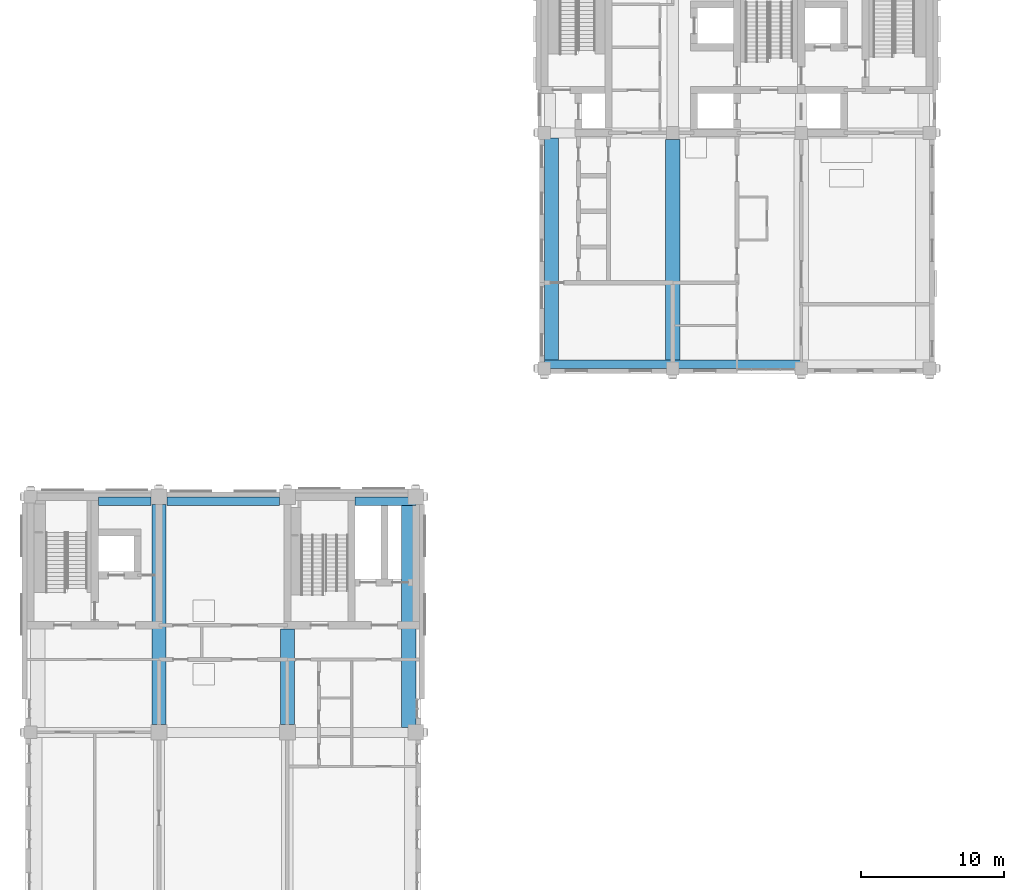
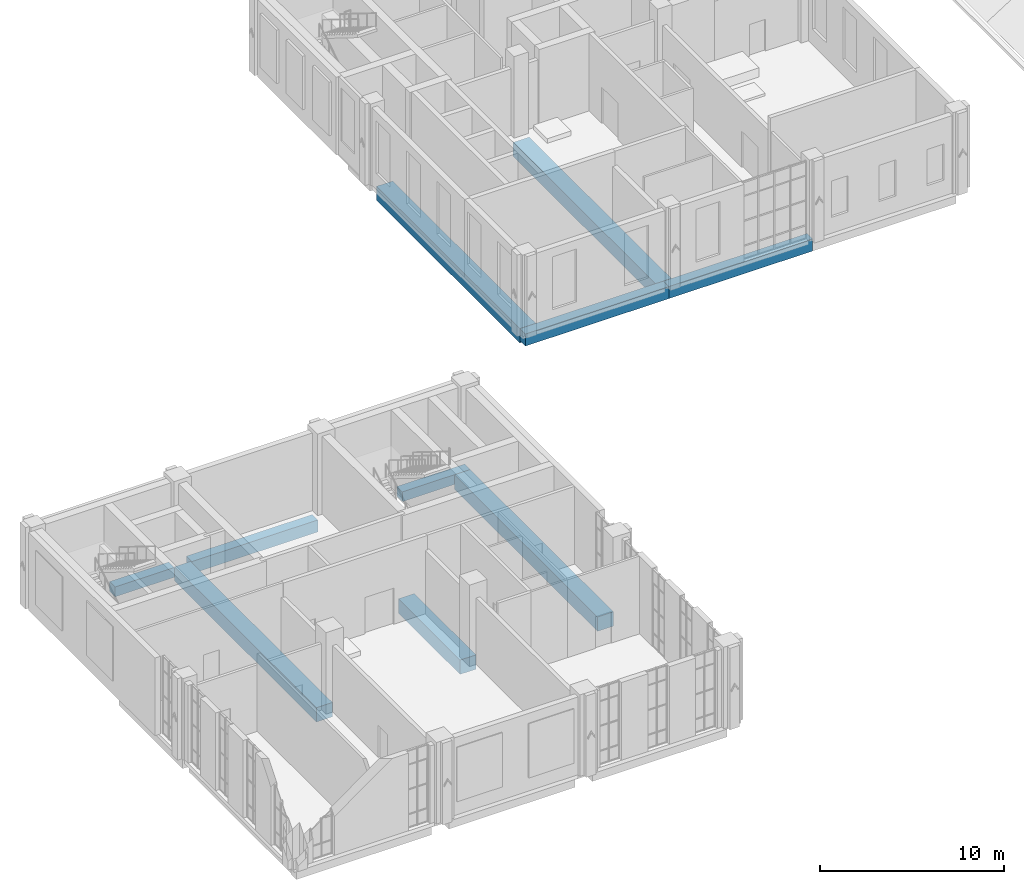
# One storey, part 3 of 25: 10 beams.
"""IFC4 building model written with IfcOpenShell, lengths in metres."""

from ifc_helpers import new_model, si_unit, direction, frame, origin, origin_2d, place, context, subcontext, project, spatial, rectangle, extrude, material, material_profile, profile_set, type_object, element, save


model = new_model("IFC4")

# Units and contexts
model_context = context("Model", 3, precision=1e-05, world=origin(), true_north=direction((0.0, 1.0)))
body_context = subcontext(model_context, "Body", "Model", "MODEL_VIEW")
ifc_project = project(units=[si_unit("LENGTHUNIT", "METRE"), si_unit("AREAUNIT", "SQUARE_METRE"), si_unit("VOLUMEUNIT", "CUBIC_METRE"), si_unit("PLANEANGLEUNIT", "RADIAN"), si_unit("MASSUNIT", "GRAM", prefix="KILO")], contexts=[model_context])

# Site, building, storey
site_placement = place(None, origin())
site = spatial("IfcSite", under=ifc_project, at=site_placement, CompositionType="ELEMENT")
building_placement = place(site_placement, origin())
building = spatial("IfcBuilding", under=site, at=building_placement, Name="Aurelan Courthouse", CompositionType="ELEMENT")
storey_placement = place(building_placement, frame((0.0, 0.0, 33.60009765625)))
storey = spatial("IfcBuildingStorey", under=building, at=storey_placement, Name="L06", CompositionType="ELEMENT", Elevation=33.60009765625)

# Beams
ifc_material = material(Name="Concrete C50", Category="concrete")
ifc_material_profile_1 = material_profile(ifc_material, rectangle(XDim=1.0, YDim=0.949951171875, at=origin_2d()), Name="RC 1000 x 950")
ifc_profile_set_1 = profile_set([ifc_material_profile_1], Name="Concrete C50")
beam_type_1 = type_object("IfcBeamType", Name="PT girder 1000 x 950", PredefinedType="BEAM", material=ifc_profile_set_1)
beam_1_placement = place(storey_placement, frame((36.5, 38.10009765625, -0.72509765625), z_axis=(0.0, 1.0, 0.0), x_axis=(-1.0, 0.0, 0.0)))
element("IfcBeam", 1, at=beam_1_placement, inside=storey, type_object=beam_type_1, Name="Girder GB-5DE-E", PredefinedType="BEAM", context=body_context, shape_type="SweptSolid", body=[
    extrude(rectangle(XDim=1.0, YDim=0.949951171875, at=origin_2d()), origin(), (0.0, 0.0, 1.0), 15.5498046875),
])
beam_2_placement = place(storey_placement, frame((45.0, 38.10009765625, -0.72509765625), z_axis=(0.0, 1.0, 0.0), x_axis=(-1.0, 0.0, 0.0)))
element("IfcBeam", 2, at=beam_2_placement, inside=storey, type_object=beam_type_1, Name="Girder GB-6DE", PredefinedType="BEAM", context=body_context, shape_type="SweptSolid", body=[
    extrude(rectangle(XDim=1.0, YDim=0.949951171875, at=origin_2d()), origin(), (0.0, 0.0, 1.0), 15.449951171875),
])
beam_3_placement = place(storey_placement, frame((9.0, 12.550048828125, -0.72509765625), z_axis=(0.0, 1.0, 0.0), x_axis=(-1.0, 0.0, 0.0)))
element("IfcBeam", 3, at=beam_3_placement, inside=storey, type_object=beam_type_1, Name="Girder GB-2BC", PredefinedType="BEAM", context=body_context, shape_type="SweptSolid", body=[
    extrude(rectangle(XDim=1.0, YDim=0.949951171875, at=origin_2d()), origin(), (0.0, 0.0, 1.0), 15.39990234375),
])
beam_4_placement = place(storey_placement, frame((18.0, 12.550048828125, -0.72509765625), z_axis=(0.0, 1.0, 0.0), x_axis=(-1.0, 0.0, 0.0)))
element("IfcBeam", 4, at=beam_4_placement, inside=storey, type_object=beam_type_1, Name="Girder GB-3BC", PredefinedType="BEAM", context=body_context, shape_type="SweptSolid", body=[
    extrude(rectangle(XDim=1.0, YDim=0.949951171875, at=origin_2d()), origin(), (0.0, 0.0, 1.0), 6.699951171875),
])
beam_5_placement = place(storey_placement, frame((26.5, 12.35009765625, -0.72509765625), z_axis=(0.0, 1.0, 0.0), x_axis=(-1.0, 0.0, 0.0)))
element("IfcBeam", 5, at=beam_5_placement, inside=storey, type_object=beam_type_1, Name="Girder GB-4BC-E", PredefinedType="BEAM", context=body_context, shape_type="SweptSolid", body=[
    extrude(rectangle(XDim=1.0, YDim=0.949951171875, at=origin_2d()), origin(), (0.0, 0.0, 1.0), 15.5498046875),
])
ifc_material_profile_2 = material_profile(ifc_material, rectangle(XDim=0.60009765625, YDim=0.64990234375, at=origin_2d()), Name="RC 600 x 650")
ifc_profile_set_2 = profile_set([ifc_material_profile_2], Name="Concrete C50")
beam_type_2 = type_object("IfcBeamType", Name="RC spandrel beam 600 x 650", PredefinedType="SPANDREL", material=ifc_profile_set_2)
beam_6_placement = place(storey_placement, frame((4.75, 28.199951171875, -0.5751953125), z_axis=(1.0, 0.0, 0.0), x_axis=(0.0, 1.0, 0.0)))
element("IfcBeam", 6, at=beam_6_placement, inside=storey, type_object=beam_type_2, Name="Spandrel beam SB-C-1-2", PredefinedType="SPANDREL", context=body_context, shape_type="SweptSolid", body=[
    extrude(rectangle(XDim=0.60009765625, YDim=0.64990234375, at=origin_2d()), origin(), (0.0, 0.0, 1.0), 3.699951171875),
])
beam_7_placement = place(storey_placement, frame((22.75, 28.199951171875, -0.5751953125), z_axis=(1.0, 0.0, 0.0), x_axis=(0.0, 1.0, 0.0)))
element("IfcBeam", 7, at=beam_7_placement, inside=storey, type_object=beam_type_2, Name="Spandrel beam SB-C-3-4", PredefinedType="SPANDREL", context=body_context, shape_type="SweptSolid", body=[
    extrude(rectangle(XDim=0.60009765625, YDim=0.64990234375, at=origin_2d()), origin(), (0.0, 0.0, 1.0), 4.25),
])
ifc_material_profile_3 = material_profile(ifc_material, rectangle(XDim=0.60009765625, YDim=0.800048828125, at=origin_2d()), Name="RC 600 x 800")
ifc_profile_set_3 = profile_set([ifc_material_profile_3], Name="Concrete C50")
beam_type_3 = type_object("IfcBeamType", Name="RC spandrel beam 600 x 800", PredefinedType="SPANDREL", material=ifc_profile_set_3)
for number, where, z_axis, x_axis, name in (
    (8, (36.0, 37.800048828125, -0.650146484375), (1.0, 0.0, 0.0), (0.0, 1.0, 0.0), "Spandrel beam SB-D-5-6"),
    (9, (45.0, 37.800048828125, -0.650146484375), (1.0, 0.0, 0.0), (0.0, 1.0, 0.0), "Spandrel beam SB-D-6-7"),
):
    element("IfcBeam", number, at=place(storey_placement, frame(where, z_axis=z_axis, x_axis=x_axis)), inside=storey, type_object=beam_type_3, Name=name, PredefinedType="SPANDREL", context=body_context, shape_type="SweptSolid", body=[
        extrude(rectangle(XDim=0.60009765625, YDim=0.800048828125, at=origin_2d()), origin(), (0.0, 0.0, 1.0), 9.0),
    ])
beam_8_placement = place(storey_placement, frame((9.550048828125, 28.199951171875, -0.650146484375), z_axis=(1.0, 0.0, 0.0), x_axis=(0.0, 1.0, 0.0)))
element("IfcBeam", 10, at=beam_8_placement, inside=storey, type_object=beam_type_3, Name="Spandrel beam SB-C-2-3", PredefinedType="SPANDREL", context=body_context, shape_type="SweptSolid", body=[
    extrude(rectangle(XDim=0.60009765625, YDim=0.800048828125, at=origin_2d()), origin(), (0.0, 0.0, 1.0), 7.89990234375),
])

save(model, "model.ifc")
